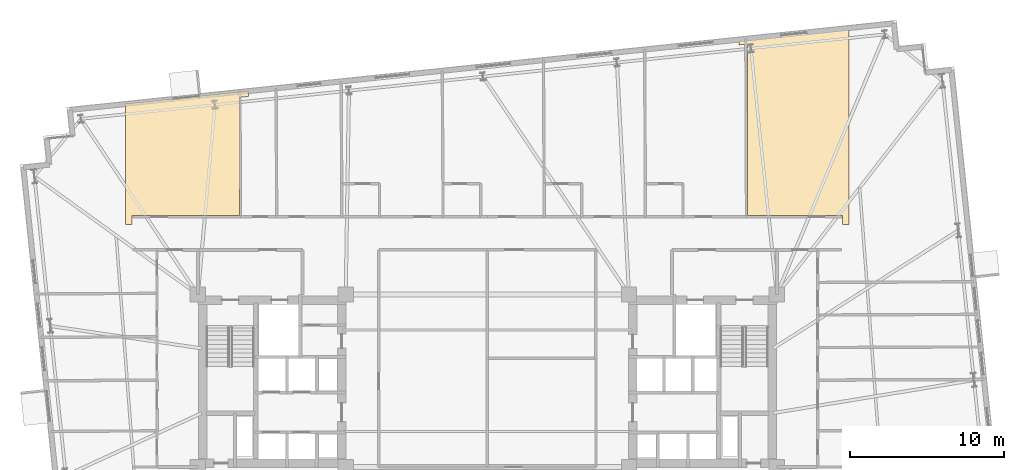
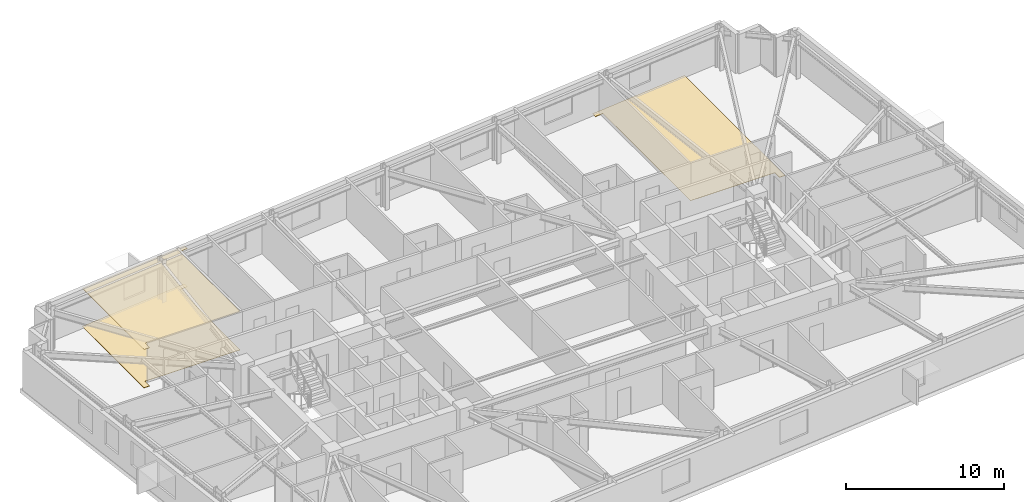
# One storey, part 19 of 19: 3 coverings.
"""IFC4 building model written with IfcOpenShell, lengths in metres."""

from ifc_helpers import new_model, si_unit, direction, frame, origin, place, context, subcontext, project, spatial, polyline, outline, extrude, material, layer, layer_set, type_object, element, save


model = new_model("IFC4")

# Units and contexts
model_context = context("Model", 3, precision=1e-05, world=origin(), true_north=direction((0.0, 1.0)))
body_context = subcontext(model_context, "Body", "Model", "MODEL_VIEW")
ifc_project = project(units=[si_unit("LENGTHUNIT", "METRE"), si_unit("AREAUNIT", "SQUARE_METRE"), si_unit("VOLUMEUNIT", "CUBIC_METRE"), si_unit("PLANEANGLEUNIT", "RADIAN"), si_unit("MASSUNIT", "GRAM", prefix="KILO")], contexts=[model_context])

# Site, building, storey
site_placement = place(None, origin())
site = spatial("IfcSite", under=ifc_project, at=site_placement, CompositionType="ELEMENT")
building_placement = place(site_placement, origin())
building = spatial("IfcBuilding", under=site, at=building_placement, Name="Qobustan Lattice House", CompositionType="ELEMENT")
storey_placement = place(building_placement, frame((0.0, 0.0, 82.35009765625)))
storey = spatial("IfcBuildingStorey", under=building, at=storey_placement, Name="L22", CompositionType="ELEMENT", Elevation=82.35009765625)

# Coverings
ifc_material_1 = material(Name="Perforated gypsum acoustic ceiling", Category="gypsum")
ifc_layer_1 = layer(ifc_material_1, 0.030029296875)
ifc_layer_set_1 = layer_set([ifc_layer_1], Name="Perforated gypsum acoustic ceiling")
covering_type_1 = type_object("IfcCoveringType", Name="COV-ACOUSTIC-CEIL", PredefinedType="CEILING", material=ifc_layer_set_1)
covering_1_placement = place(storey_placement, frame((0.0, 0.0, 2.954833984375)))
element("IfcCovering", 1, at=covering_1_placement, inside=storey, type_object=covering_type_1, Name="L22 Focus study room N1 acoustic ceiling", PredefinedType="CEILING", context=body_context, shape_type="SweptSolid", body=[
    extrude(outline(polyline([(-15.529052734375, 18.832763671875), (-23.5, 17.9951171875), (-23.5, 10.14990234375), (-23.080078125, 10.14990234375), (-23.080078125, 10.72998046875), (-16.10888671875, 10.72998046875), (-16.10888671875, 18.39990234375), (-15.529052734375, 18.460693359375), (-15.529052734375, 18.832763671875)])), origin(), (0.0, 0.0, 1.0), 0.030029296875),
])
ifc_material_2 = material(Name="Honed Absheron stone terrazzo flooring", Category="masonry")
ifc_layer_2 = layer(ifc_material_2, 0.02490234375)
ifc_layer_set_2 = layer_set([ifc_layer_2], Name="Honed Absheron stone terrazzo flooring")
covering_type_2 = type_object("IfcCoveringType", Name="COV-TERRAZZO-FLR", PredefinedType="FLOORING", material=ifc_layer_set_2)
covering_2_placement = place(storey_placement, origin())
element("IfcCovering", 2, at=covering_2_placement, inside=storey, type_object=covering_type_2, Name="L22 Focus study room N1 stone terrazzo flooring", PredefinedType="FLOORING", context=body_context, shape_type="SweptSolid", body=[
    extrude(outline(polyline([(-15.529052734375, 18.832763671875), (-23.5, 17.9951171875), (-23.5, 10.14990234375), (-23.080078125, 10.14990234375), (-23.080078125, 10.72998046875), (-16.10888671875, 10.72998046875), (-16.10888671875, 18.39990234375), (-15.529052734375, 18.460693359375), (-15.529052734375, 18.832763671875)])), origin(), (0.0, 0.0, 1.0), 0.02490234375),
])
covering_3_placement = place(storey_placement, origin())
element("IfcCovering", 3, at=covering_3_placement, inside=storey, type_object=covering_type_2, Name="L22 Focus study room N7 stone terrazzo flooring", PredefinedType="FLOORING", context=body_context, shape_type="SweptSolid", body=[
    extrude(outline(polyline([(16.3291015625, 22.18115234375), (16.3291015625, 21.80908203125), (16.908935546875, 21.8701171875), (16.908935546875, 10.72998046875), (23.080078125, 10.72998046875), (23.080078125, 10.14990234375), (23.5, 10.14990234375), (23.5, 22.93505859375), (16.3291015625, 22.18115234375)])), origin(), (0.0, 0.0, 1.0), 0.02490234375),
])

save(model, "model.ifc")
